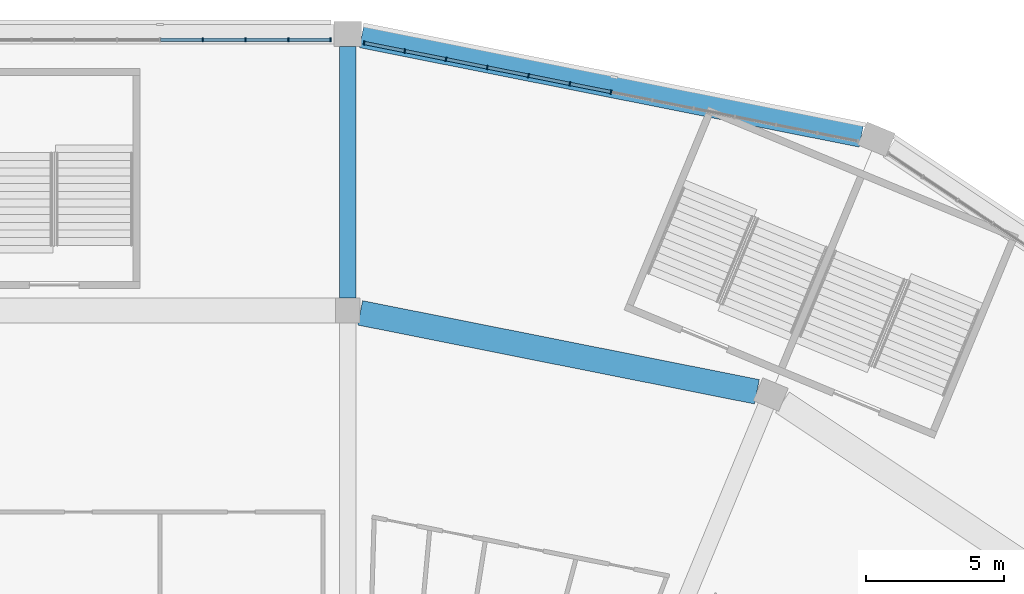
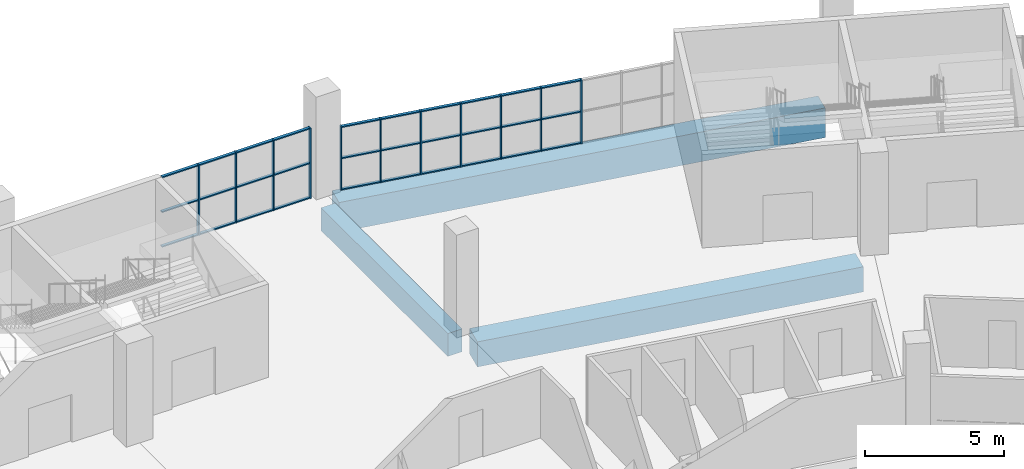
# One storey, part 46 of 199: 41 members, 3 beams, 2 elements without a shape of their own.
"""IFC4 building model written with IfcOpenShell, lengths in metres."""

from ifc_helpers import new_model, si_unit, direction, frame, origin, origin_2d, place, context, subcontext, project, spatial, rectangle, extrude, material, material_profile, profile_set, type_object, element, aggregate, save


model = new_model("IFC4")

# Units and contexts
model_context = context("Model", 3, precision=1e-05, world=origin(), true_north=direction((0.0, 1.0)))
body_context = subcontext(model_context, "Body", "Model", "MODEL_VIEW")
ifc_project = project(units=[si_unit("LENGTHUNIT", "METRE"), si_unit("AREAUNIT", "SQUARE_METRE"), si_unit("VOLUMEUNIT", "CUBIC_METRE"), si_unit("PLANEANGLEUNIT", "RADIAN"), si_unit("MASSUNIT", "GRAM", prefix="KILO")], contexts=[model_context])

# Site, building, storey
site_placement = place(None, origin())
site = spatial("IfcSite", under=ifc_project, at=site_placement, CompositionType="ELEMENT")
building_placement = place(site_placement, origin())
building = spatial("IfcBuilding", under=site, at=building_placement, Name="Ogive Plaza Stadium", CompositionType="ELEMENT")
storey_placement = place(building_placement, frame((0.0, 0.0, 9.0)))
storey = spatial("IfcBuildingStorey", under=building, at=storey_placement, Name="L02", CompositionType="ELEMENT", Elevation=9.0)

# Curtain wall, members
ifc_material_1 = material(Name="Bronze-anodised aluminium with laminated glass", Category="aluminium")
curtain_wall_type = type_object("IfcCurtainWallType", Name="Lancet curtain wall", PredefinedType="NOTDEFINED", material=ifc_material_1)
curtain_wall_1_placement = place(storey_placement, origin())
curtain_wall_1 = element("IfcCurtainWall", 1, at=curtain_wall_1_placement, inside=storey, type_object=curtain_wall_type, Name="CURTAIN WALL B36 L02", PredefinedType="NOTDEFINED")
ifc_material_2 = material(Name="Bronze-anodised aluminium", Category="aluminium")
ifc_material_profile_1 = material_profile(ifc_material_2, rectangle(XDim=0.14990234375, YDim=0.050048828125, at=origin_2d()), Name="AL 150x50")
ifc_profile_set_1 = profile_set([ifc_material_profile_1], Name="Bronze-anodised aluminium")
member_type_1 = type_object("IfcMemberType", Name="Curtain wall mullion 50x150", PredefinedType="MULLION", material=ifc_profile_set_1)
member_1_placement = place(storey_placement, frame((28.75, 102.300048828125, 0.0), z_axis=(0.0, 0.0, 1.0), x_axis=(0.0, 1.0, 0.0)))
member_1 = element("IfcMember", 2, at=member_1_placement, type_object=member_type_1, Name="CW-B36-L02 mullion 6", PredefinedType="MULLION", context=body_context, shape_type="SweptSolid", body=[
    extrude(rectangle(XDim=0.14990234375, YDim=0.050048828125, at=origin_2d()), origin(), (0.0, 0.0, 1.0), 3.090087890625),
])
member_2_placement = place(storey_placement, frame((30.300048828125, 102.300048828125, 0.0), z_axis=(0.0, 0.0, 1.0), x_axis=(0.0, 1.0, 0.0)))
member_2 = element("IfcMember", 3, at=member_2_placement, type_object=member_type_1, Name="CW-B36-L02 mullion 7", PredefinedType="MULLION", context=body_context, shape_type="SweptSolid", body=[
    extrude(rectangle(XDim=0.14990234375, YDim=0.050048828125, at=origin_2d()), origin(), (0.0, 0.0, 1.0), 3.090087890625),
])
member_3_placement = place(storey_placement, frame((31.85009765625, 102.300048828125, 0.0), z_axis=(0.0, 0.0, 1.0), x_axis=(0.0, 1.0, 0.0)))
member_3 = element("IfcMember", 4, at=member_3_placement, type_object=member_type_1, Name="CW-B36-L02 mullion 8", PredefinedType="MULLION", context=body_context, shape_type="SweptSolid", body=[
    extrude(rectangle(XDim=0.14990234375, YDim=0.050048828125, at=origin_2d()), origin(), (0.0, 0.0, 1.0), 3.090087890625),
])
member_4_placement = place(storey_placement, frame((33.375, 102.300048828125, 0.0), z_axis=(0.0, 0.0, 1.0), x_axis=(0.0, 1.0, 0.0)))
member_4 = element("IfcMember", 5, at=member_4_placement, type_object=member_type_1, Name="CW-B36-L02 mullion 9", PredefinedType="MULLION", context=body_context, shape_type="SweptSolid", body=[
    extrude(rectangle(XDim=0.14990234375, YDim=0.050048828125, at=origin_2d()), origin(), (0.0, 0.0, 1.0), 3.090087890625),
])

curtain_wall_2_placement = place(storey_placement, origin())
curtain_wall_2 = element("IfcCurtainWall", 6, at=curtain_wall_2_placement, inside=storey, type_object=curtain_wall_type, Name="CURTAIN WALL B37 L02", PredefinedType="NOTDEFINED")
member_5_placement = place(storey_placement, frame((34.593994140625, 102.177978515625, 0.0), z_axis=(0.0, 0.0, 1.0), x_axis=(0.195090322033, 0.9807852804, 0.0)))
member_5 = element("IfcMember", 7, at=member_5_placement, type_object=member_type_1, Name="CW-B37-L02 mullion 1", PredefinedType="MULLION", context=body_context, shape_type="SweptSolid", body=[
    extrude(rectangle(XDim=0.14990234375, YDim=0.050048828125, at=origin_2d()), origin(), (0.0, 0.0, 1.0), 2.7900390625),
])
member_6_placement = place(storey_placement, frame((36.0625, 101.8857421875, 0.0), z_axis=(0.0, 0.0, 1.0), x_axis=(0.195090322033, 0.9807852804, 0.0)))
member_6 = element("IfcMember", 8, at=member_6_placement, type_object=member_type_1, Name="CW-B37-L02 mullion 2", PredefinedType="MULLION", context=body_context, shape_type="SweptSolid", body=[
    extrude(rectangle(XDim=0.14990234375, YDim=0.050048828125, at=origin_2d()), origin(), (0.0, 0.0, 1.0), 2.7900390625),
])
member_7_placement = place(storey_placement, frame((37.5556640625, 101.5888671875, 0.0), z_axis=(0.0, 0.0, 1.0), x_axis=(0.195090322033, 0.9807852804, 0.0)))
member_7 = element("IfcMember", 9, at=member_7_placement, type_object=member_type_1, Name="CW-B37-L02 mullion 3", PredefinedType="MULLION", context=body_context, shape_type="SweptSolid", body=[
    extrude(rectangle(XDim=0.14990234375, YDim=0.050048828125, at=origin_2d()), origin(), (0.0, 0.0, 1.0), 2.7900390625),
])
member_8_placement = place(storey_placement, frame((39.048828125, 101.291748046875, 0.0), z_axis=(0.0, 0.0, 1.0), x_axis=(0.195090322033, 0.9807852804, 0.0)))
member_8 = element("IfcMember", 10, at=member_8_placement, type_object=member_type_1, Name="CW-B37-L02 mullion 4", PredefinedType="MULLION", context=body_context, shape_type="SweptSolid", body=[
    extrude(rectangle(XDim=0.14990234375, YDim=0.050048828125, at=origin_2d()), origin(), (0.0, 0.0, 1.0), 2.7900390625),
])
member_9_placement = place(storey_placement, frame((40.5419921875, 100.994873046875, 0.0), z_axis=(0.0, 0.0, 1.0), x_axis=(0.195090322033, 0.9807852804, 0.0)))
member_9 = element("IfcMember", 11, at=member_9_placement, type_object=member_type_1, Name="CW-B37-L02 mullion 5", PredefinedType="MULLION", context=body_context, shape_type="SweptSolid", body=[
    extrude(rectangle(XDim=0.14990234375, YDim=0.050048828125, at=origin_2d()), origin(), (0.0, 0.0, 1.0), 2.7900390625),
])
member_10_placement = place(storey_placement, frame((42.034912109375, 100.69775390625, 0.0), z_axis=(0.0, 0.0, 1.0), x_axis=(0.195090322033, 0.9807852804, 0.0)))
member_10 = element("IfcMember", 12, at=member_10_placement, type_object=member_type_1, Name="CW-B37-L02 mullion 6", PredefinedType="MULLION", context=body_context, shape_type="SweptSolid", body=[
    extrude(rectangle(XDim=0.14990234375, YDim=0.050048828125, at=origin_2d()), origin(), (0.0, 0.0, 1.0), 2.7900390625),
])
member_11_placement = place(storey_placement, frame((43.528076171875, 100.40087890625, 0.0), z_axis=(0.0, 0.0, 1.0), x_axis=(0.195090322033, 0.9807852804, 0.0)))
member_11 = element("IfcMember", 13, at=member_11_placement, type_object=member_type_1, Name="CW-B37-L02 mullion 7", PredefinedType="MULLION", context=body_context, shape_type="SweptSolid", body=[
    extrude(rectangle(XDim=0.14990234375, YDim=0.050048828125, at=origin_2d()), origin(), (0.0, 0.0, 1.0), 2.7900390625),
])

# Member
ifc_material_3 = material(Name="Bronze-anodised aluminium", Category="aluminium")
ifc_material_profile_2 = material_profile(ifc_material_3, rectangle(XDim=0.1201171875, YDim=0.050048828125, at=origin_2d()), Name="AL 120x50")
ifc_profile_set_2 = profile_set([ifc_material_profile_2], Name="Bronze-anodised aluminium")
member_type_2 = type_object("IfcMemberType", Name="Curtain wall transom 50x120", PredefinedType="USERDEFINED", material=ifc_profile_set_2)
member_12_placement = place(storey_placement, frame((27.22509765625, 102.300048828125, 0.02490234375), z_axis=(1.0, 0.0, 0.0), x_axis=(0.0, 1.0, 0.0)))
member_12 = element("IfcMember", 14, at=member_12_placement, type_object=member_type_2, Name="CW-B36-L02 transom 5.1", ObjectType="TRANSOM", PredefinedType="USERDEFINED", context=body_context, shape_type="SweptSolid", body=[
    extrude(rectangle(XDim=0.1201171875, YDim=0.050048828125, at=origin_2d()), origin(), (0.0, 0.0, 1.0), 1.5),
])

member_13_placement = place(storey_placement, frame((27.22509765625, 102.300048828125, 1.544921875), z_axis=(1.0, 0.0, 0.0), x_axis=(0.0, 1.0, 0.0)))
member_13 = element("IfcMember", 15, at=member_13_placement, type_object=member_type_2, Name="CW-B36-L02 transom 5.2", ObjectType="TRANSOM", PredefinedType="USERDEFINED", context=body_context, shape_type="SweptSolid", body=[
    extrude(rectangle(XDim=0.1201171875, YDim=0.050048828125, at=origin_2d()), origin(), (0.0, 0.0, 1.0), 1.5),
])

member_14_placement = place(storey_placement, frame((27.22509765625, 102.300048828125, 3.06494140625), z_axis=(1.0, 0.0, 0.0), x_axis=(0.0, 1.0, 0.0)))
member_14 = element("IfcMember", 16, at=member_14_placement, type_object=member_type_2, Name="CW-B36-L02 transom 5.3", ObjectType="TRANSOM", PredefinedType="USERDEFINED", context=body_context, shape_type="SweptSolid", body=[
    extrude(rectangle(XDim=0.1201171875, YDim=0.050048828125, at=origin_2d()), origin(), (0.0, 0.0, 1.0), 1.5),
])

member_15_placement = place(storey_placement, frame((28.77490234375, 102.300048828125, 0.02490234375), z_axis=(1.0, 0.0, 0.0), x_axis=(0.0, 1.0, 0.0)))
member_15 = element("IfcMember", 17, at=member_15_placement, type_object=member_type_2, Name="CW-B36-L02 transom 6.1", ObjectType="TRANSOM", PredefinedType="USERDEFINED", context=body_context, shape_type="SweptSolid", body=[
    extrude(rectangle(XDim=0.1201171875, YDim=0.050048828125, at=origin_2d()), origin(), (0.0, 0.0, 1.0), 1.5),
])

member_16_placement = place(storey_placement, frame((28.77490234375, 102.300048828125, 1.544921875), z_axis=(1.0, 0.0, 0.0), x_axis=(0.0, 1.0, 0.0)))
member_16 = element("IfcMember", 18, at=member_16_placement, type_object=member_type_2, Name="CW-B36-L02 transom 6.2", ObjectType="TRANSOM", PredefinedType="USERDEFINED", context=body_context, shape_type="SweptSolid", body=[
    extrude(rectangle(XDim=0.1201171875, YDim=0.050048828125, at=origin_2d()), origin(), (0.0, 0.0, 1.0), 1.5),
])

member_17_placement = place(storey_placement, frame((28.77490234375, 102.300048828125, 3.06494140625), z_axis=(1.0, 0.0, 0.0), x_axis=(0.0, 1.0, 0.0)))
member_17 = element("IfcMember", 19, at=member_17_placement, type_object=member_type_2, Name="CW-B36-L02 transom 6.3", ObjectType="TRANSOM", PredefinedType="USERDEFINED", context=body_context, shape_type="SweptSolid", body=[
    extrude(rectangle(XDim=0.1201171875, YDim=0.050048828125, at=origin_2d()), origin(), (0.0, 0.0, 1.0), 1.5),
])

member_18_placement = place(storey_placement, frame((30.324951171875, 102.300048828125, 0.02490234375), z_axis=(1.0, 0.0, 0.0), x_axis=(0.0, 1.0, 0.0)))
member_18 = element("IfcMember", 20, at=member_18_placement, type_object=member_type_2, Name="CW-B36-L02 transom 7.1", ObjectType="TRANSOM", PredefinedType="USERDEFINED", context=body_context, shape_type="SweptSolid", body=[
    extrude(rectangle(XDim=0.1201171875, YDim=0.050048828125, at=origin_2d()), origin(), (0.0, 0.0, 1.0), 1.5),
])

member_19_placement = place(storey_placement, frame((30.324951171875, 102.300048828125, 1.544921875), z_axis=(1.0, 0.0, 0.0), x_axis=(0.0, 1.0, 0.0)))
member_19 = element("IfcMember", 21, at=member_19_placement, type_object=member_type_2, Name="CW-B36-L02 transom 7.2", ObjectType="TRANSOM", PredefinedType="USERDEFINED", context=body_context, shape_type="SweptSolid", body=[
    extrude(rectangle(XDim=0.1201171875, YDim=0.050048828125, at=origin_2d()), origin(), (0.0, 0.0, 1.0), 1.5),
])

member_20_placement = place(storey_placement, frame((30.324951171875, 102.300048828125, 3.06494140625), z_axis=(1.0, 0.0, 0.0), x_axis=(0.0, 1.0, 0.0)))
member_20 = element("IfcMember", 22, at=member_20_placement, type_object=member_type_2, Name="CW-B36-L02 transom 7.3", ObjectType="TRANSOM", PredefinedType="USERDEFINED", context=body_context, shape_type="SweptSolid", body=[
    extrude(rectangle(XDim=0.1201171875, YDim=0.050048828125, at=origin_2d()), origin(), (0.0, 0.0, 1.0), 1.5),
])

member_21_placement = place(storey_placement, frame((31.875, 102.300048828125, 0.02490234375), z_axis=(1.0, 0.0, 0.0), x_axis=(0.0, 1.0, 0.0)))
member_21 = element("IfcMember", 23, at=member_21_placement, type_object=member_type_2, Name="CW-B36-L02 transom 8.1", ObjectType="TRANSOM", PredefinedType="USERDEFINED", context=body_context, shape_type="SweptSolid", body=[
    extrude(rectangle(XDim=0.1201171875, YDim=0.050048828125, at=origin_2d()), origin(), (0.0, 0.0, 1.0), 1.47509765625),
])

member_22_placement = place(storey_placement, frame((31.875, 102.300048828125, 1.544921875), z_axis=(1.0, 0.0, 0.0), x_axis=(0.0, 1.0, 0.0)))
member_22 = element("IfcMember", 24, at=member_22_placement, type_object=member_type_2, Name="CW-B36-L02 transom 8.2", ObjectType="TRANSOM", PredefinedType="USERDEFINED", context=body_context, shape_type="SweptSolid", body=[
    extrude(rectangle(XDim=0.1201171875, YDim=0.050048828125, at=origin_2d()), origin(), (0.0, 0.0, 1.0), 1.47509765625),
])

member_23_placement = place(storey_placement, frame((31.875, 102.300048828125, 3.06494140625), z_axis=(1.0, 0.0, 0.0), x_axis=(0.0, 1.0, 0.0)))
member_23 = element("IfcMember", 25, at=member_23_placement, type_object=member_type_2, Name="CW-B36-L02 transom 8.3", ObjectType="TRANSOM", PredefinedType="USERDEFINED", context=body_context, shape_type="SweptSolid", body=[
    extrude(rectangle(XDim=0.1201171875, YDim=0.050048828125, at=origin_2d()), origin(), (0.0, 0.0, 1.0), 1.47509765625),
])

aggregate(curtain_wall_1, [member_1, member_2, member_3, member_4, member_12, member_13, member_14, member_15, member_16, member_17, member_18, member_19, member_20, member_21, member_22, member_23])

member_24_placement = place(storey_placement, frame((34.61865234375, 102.173095703125, 0.02490234375), z_axis=(0.980768379534, -0.195175269199, 0.0), x_axis=(0.195175269199, 0.980768379534, 0.0)))
member_24 = element("IfcMember", 26, at=member_24_placement, type_object=member_type_2, Name="CW-B37-L02 transom 1.1", ObjectType="TRANSOM", PredefinedType="USERDEFINED", context=body_context, shape_type="SweptSolid", body=[
    extrude(rectangle(XDim=0.1201171875, YDim=0.050048828125, at=origin_2d()), origin(), (0.0, 0.0, 1.0), 1.447265625),
])

member_25_placement = place(storey_placement, frame((34.61865234375, 102.173095703125, 1.39501953125), z_axis=(0.980768379534, -0.195175269199, 0.0), x_axis=(0.195175269199, 0.980768379534, 0.0)))
member_25 = element("IfcMember", 27, at=member_25_placement, type_object=member_type_2, Name="CW-B37-L02 transom 1.2", ObjectType="TRANSOM", PredefinedType="USERDEFINED", context=body_context, shape_type="SweptSolid", body=[
    extrude(rectangle(XDim=0.1201171875, YDim=0.050048828125, at=origin_2d()), origin(), (0.0, 0.0, 1.0), 1.447265625),
])

member_26_placement = place(storey_placement, frame((34.61865234375, 102.173095703125, 2.764892578125), z_axis=(0.980768379534, -0.195175269199, 0.0), x_axis=(0.195175269199, 0.980768379534, 0.0)))
member_26 = element("IfcMember", 28, at=member_26_placement, type_object=member_type_2, Name="CW-B37-L02 transom 1.3", ObjectType="TRANSOM", PredefinedType="USERDEFINED", context=body_context, shape_type="SweptSolid", body=[
    extrude(rectangle(XDim=0.1201171875, YDim=0.050048828125, at=origin_2d()), origin(), (0.0, 0.0, 1.0), 1.447265625),
])

member_27_placement = place(storey_placement, frame((36.087158203125, 101.880859375, 0.02490234375), z_axis=(0.980803254763, -0.194999937042, 0.0), x_axis=(0.194999937042, 0.980803254763, 0.0)))
member_27 = element("IfcMember", 29, at=member_27_placement, type_object=member_type_2, Name="CW-B37-L02 transom 2.1", ObjectType="TRANSOM", PredefinedType="USERDEFINED", context=body_context, shape_type="SweptSolid", body=[
    extrude(rectangle(XDim=0.1201171875, YDim=0.050048828125, at=origin_2d()), origin(), (0.0, 0.0, 1.0), 1.472412109375),
])

member_28_placement = place(storey_placement, frame((36.087158203125, 101.880859375, 1.39501953125), z_axis=(0.980803254763, -0.194999937042, 0.0), x_axis=(0.194999937042, 0.980803254763, 0.0)))
member_28 = element("IfcMember", 30, at=member_28_placement, type_object=member_type_2, Name="CW-B37-L02 transom 2.2", ObjectType="TRANSOM", PredefinedType="USERDEFINED", context=body_context, shape_type="SweptSolid", body=[
    extrude(rectangle(XDim=0.1201171875, YDim=0.050048828125, at=origin_2d()), origin(), (0.0, 0.0, 1.0), 1.472412109375),
])

member_29_placement = place(storey_placement, frame((36.087158203125, 101.880859375, 2.764892578125), z_axis=(0.980803254763, -0.194999937042, 0.0), x_axis=(0.194999937042, 0.980803254763, 0.0)))
member_29 = element("IfcMember", 31, at=member_29_placement, type_object=member_type_2, Name="CW-B37-L02 transom 2.3", ObjectType="TRANSOM", PredefinedType="USERDEFINED", context=body_context, shape_type="SweptSolid", body=[
    extrude(rectangle(XDim=0.1201171875, YDim=0.050048828125, at=origin_2d()), origin(), (0.0, 0.0, 1.0), 1.472412109375),
])

member_30_placement = place(storey_placement, frame((37.580322265625, 101.583984375, 0.02490234375), z_axis=(0.980765212551, -0.195191182816, 0.0), x_axis=(0.195191182816, 0.980765212551, 0.0)))
member_30 = element("IfcMember", 32, at=member_30_placement, type_object=member_type_2, Name="CW-B37-L02 transom 3.1", ObjectType="TRANSOM", PredefinedType="USERDEFINED", context=body_context, shape_type="SweptSolid", body=[
    extrude(rectangle(XDim=0.1201171875, YDim=0.050048828125, at=origin_2d()), origin(), (0.0, 0.0, 1.0), 1.47216796875),
])

member_31_placement = place(storey_placement, frame((37.580322265625, 101.583984375, 1.39501953125), z_axis=(0.980765212551, -0.195191182816, 0.0), x_axis=(0.195191182816, 0.980765212551, 0.0)))
member_31 = element("IfcMember", 33, at=member_31_placement, type_object=member_type_2, Name="CW-B37-L02 transom 3.2", ObjectType="TRANSOM", PredefinedType="USERDEFINED", context=body_context, shape_type="SweptSolid", body=[
    extrude(rectangle(XDim=0.1201171875, YDim=0.050048828125, at=origin_2d()), origin(), (0.0, 0.0, 1.0), 1.47216796875),
])

member_32_placement = place(storey_placement, frame((37.580322265625, 101.583984375, 2.764892578125), z_axis=(0.980765212551, -0.195191182816, 0.0), x_axis=(0.195191182816, 0.980765212551, 0.0)))
member_32 = element("IfcMember", 34, at=member_32_placement, type_object=member_type_2, Name="CW-B37-L02 transom 3.3", ObjectType="TRANSOM", PredefinedType="USERDEFINED", context=body_context, shape_type="SweptSolid", body=[
    extrude(rectangle(XDim=0.1201171875, YDim=0.050048828125, at=origin_2d()), origin(), (0.0, 0.0, 1.0), 1.47216796875),
])

member_33_placement = place(storey_placement, frame((39.0732421875, 101.286865234375, 0.02490234375), z_axis=(0.980803254763, -0.194999937042, 0.0), x_axis=(0.194999937042, 0.980803254763, 0.0)))
member_33 = element("IfcMember", 35, at=member_33_placement, type_object=member_type_2, Name="CW-B37-L02 transom 4.1", ObjectType="TRANSOM", PredefinedType="USERDEFINED", context=body_context, shape_type="SweptSolid", body=[
    extrude(rectangle(XDim=0.1201171875, YDim=0.050048828125, at=origin_2d()), origin(), (0.0, 0.0, 1.0), 1.472412109375),
])

member_34_placement = place(storey_placement, frame((39.0732421875, 101.286865234375, 1.39501953125), z_axis=(0.980803254763, -0.194999937042, 0.0), x_axis=(0.194999937042, 0.980803254763, 0.0)))
member_34 = element("IfcMember", 36, at=member_34_placement, type_object=member_type_2, Name="CW-B37-L02 transom 4.2", ObjectType="TRANSOM", PredefinedType="USERDEFINED", context=body_context, shape_type="SweptSolid", body=[
    extrude(rectangle(XDim=0.1201171875, YDim=0.050048828125, at=origin_2d()), origin(), (0.0, 0.0, 1.0), 1.472412109375),
])

member_35_placement = place(storey_placement, frame((39.0732421875, 101.286865234375, 2.764892578125), z_axis=(0.980803254763, -0.194999937042, 0.0), x_axis=(0.194999937042, 0.980803254763, 0.0)))
member_35 = element("IfcMember", 37, at=member_35_placement, type_object=member_type_2, Name="CW-B37-L02 transom 4.3", ObjectType="TRANSOM", PredefinedType="USERDEFINED", context=body_context, shape_type="SweptSolid", body=[
    extrude(rectangle(XDim=0.1201171875, YDim=0.050048828125, at=origin_2d()), origin(), (0.0, 0.0, 1.0), 1.472412109375),
])

member_36_placement = place(storey_placement, frame((40.56640625, 100.989990234375, 0.02490234375), z_axis=(0.980771529367, -0.195159440417, 0.0), x_axis=(0.195159440417, 0.980771529367, 0.0)))
member_36 = element("IfcMember", 38, at=member_36_placement, type_object=member_type_2, Name="CW-B37-L02 transom 5.1", ObjectType="TRANSOM", PredefinedType="USERDEFINED", context=body_context, shape_type="SweptSolid", body=[
    extrude(rectangle(XDim=0.1201171875, YDim=0.050048828125, at=origin_2d()), origin(), (0.0, 0.0, 1.0), 1.472412109375),
])

member_37_placement = place(storey_placement, frame((40.56640625, 100.989990234375, 1.39501953125), z_axis=(0.980771529367, -0.195159440417, 0.0), x_axis=(0.195159440417, 0.980771529367, 0.0)))
member_37 = element("IfcMember", 39, at=member_37_placement, type_object=member_type_2, Name="CW-B37-L02 transom 5.2", ObjectType="TRANSOM", PredefinedType="USERDEFINED", context=body_context, shape_type="SweptSolid", body=[
    extrude(rectangle(XDim=0.1201171875, YDim=0.050048828125, at=origin_2d()), origin(), (0.0, 0.0, 1.0), 1.472412109375),
])

member_38_placement = place(storey_placement, frame((40.56640625, 100.989990234375, 2.764892578125), z_axis=(0.980771529367, -0.195159440417, 0.0), x_axis=(0.195159440417, 0.980771529367, 0.0)))
member_38 = element("IfcMember", 40, at=member_38_placement, type_object=member_type_2, Name="CW-B37-L02 transom 5.3", ObjectType="TRANSOM", PredefinedType="USERDEFINED", context=body_context, shape_type="SweptSolid", body=[
    extrude(rectangle(XDim=0.1201171875, YDim=0.050048828125, at=origin_2d()), origin(), (0.0, 0.0, 1.0), 1.472412109375),
])

member_39_placement = place(storey_placement, frame((42.0595703125, 100.69287109375, 0.02490234375), z_axis=(0.980803254763, -0.194999937042, 0.0), x_axis=(0.194999937042, 0.980803254763, 0.0)))
member_39 = element("IfcMember", 41, at=member_39_placement, type_object=member_type_2, Name="CW-B37-L02 transom 6.1", ObjectType="TRANSOM", PredefinedType="USERDEFINED", context=body_context, shape_type="SweptSolid", body=[
    extrude(rectangle(XDim=0.1201171875, YDim=0.050048828125, at=origin_2d()), origin(), (0.0, 0.0, 1.0), 1.472412109375),
])

member_40_placement = place(storey_placement, frame((42.0595703125, 100.69287109375, 1.39501953125), z_axis=(0.980803254763, -0.194999937042, 0.0), x_axis=(0.194999937042, 0.980803254763, 0.0)))
member_40 = element("IfcMember", 42, at=member_40_placement, type_object=member_type_2, Name="CW-B37-L02 transom 6.2", ObjectType="TRANSOM", PredefinedType="USERDEFINED", context=body_context, shape_type="SweptSolid", body=[
    extrude(rectangle(XDim=0.1201171875, YDim=0.050048828125, at=origin_2d()), origin(), (0.0, 0.0, 1.0), 1.472412109375),
])

member_41_placement = place(storey_placement, frame((42.0595703125, 100.69287109375, 2.764892578125), z_axis=(0.980803254763, -0.194999937042, 0.0), x_axis=(0.194999937042, 0.980803254763, 0.0)))
member_41 = element("IfcMember", 43, at=member_41_placement, type_object=member_type_2, Name="CW-B37-L02 transom 6.3", ObjectType="TRANSOM", PredefinedType="USERDEFINED", context=body_context, shape_type="SweptSolid", body=[
    extrude(rectangle(XDim=0.1201171875, YDim=0.050048828125, at=origin_2d()), origin(), (0.0, 0.0, 1.0), 1.472412109375),
])

aggregate(curtain_wall_2, [member_5, member_6, member_7, member_8, member_9, member_10, member_11, member_24, member_25, member_26, member_27, member_28, member_29, member_30, member_31, member_32, member_33, member_34, member_35, member_36, member_37, member_38, member_39, member_40, member_41])

# Beams
ifc_material_4 = material(Name="Concrete C40/50", Category="concrete")
ifc_material_profile_3 = material_profile(ifc_material_4, rectangle(XDim=0.60009765625, YDim=1.0, at=origin_2d()), Name="RC 600x1000")
ifc_profile_set_3 = profile_set([ifc_material_profile_3], Name="Concrete C40/50")
beam_type_1 = type_object("IfcBeamType", Name="RC radial beam 600x1000", PredefinedType="BEAM", material=ifc_profile_set_3)
beam_1_placement = place(storey_placement, frame((34.0, 92.949951171875, -0.909912109375), z_axis=(0.0, 1.0, 0.0), x_axis=(-1.0, 0.0, 0.0)))
element("IfcBeam", 44, at=beam_1_placement, inside=storey, type_object=beam_type_1, Name="Radial beam L02 R37 F4F5", PredefinedType="BEAM", context=body_context, shape_type="SweptSolid", body=[
    extrude(rectangle(XDim=0.60009765625, YDim=1.0, at=origin_2d()), origin(), (0.0, 0.0, 1.0), 9.10009765625),
])
ifc_material_5 = material(Name="Concrete C40/50", Category="concrete")
ifc_material_profile_4 = material_profile(ifc_material_5, rectangle(XDim=0.89990234375, YDim=1.10009765625, at=origin_2d()), Name="RC 900x1100")
ifc_profile_set_4 = profile_set([ifc_material_profile_4], Name="Concrete C40/50")
beam_type_2 = type_object("IfcBeamType", Name="RC ring beam 900x1100", PredefinedType="BEAM", material=ifc_profile_set_4)
beam_2_placement = place(storey_placement, frame((34.449951171875, 92.410400390625, -0.9599609375), z_axis=(0.980787317906, -0.195080078519, 0.0), x_axis=(0.195080078519, 0.980787317906, 0.0)))
element("IfcBeam", 45, at=beam_2_placement, inside=storey, type_object=beam_type_2, Name="Ring beam F4 L02 B37", PredefinedType="BEAM", context=body_context, shape_type="SweptSolid", body=[
    extrude(rectangle(XDim=0.89990234375, YDim=1.10009765625, at=origin_2d()), origin(), (0.0, 0.0, 1.0), 14.638671875),
])
ifc_material_6 = material(Name="Concrete C40/50", Category="concrete")
ifc_material_profile_5 = material_profile(ifc_material_6, rectangle(XDim=0.800048828125, YDim=1.300048828125, at=origin_2d()), Name="RC 800x1300")
ifc_profile_set_5 = profile_set([ifc_material_profile_5], Name="Concrete C40/50")
beam_type_3 = type_object("IfcBeamType", Name="RC spandrel beam 800x1300", PredefinedType="SPANDREL", material=ifc_profile_set_5)
beam_3_placement = place(storey_placement, frame((34.5, 102.400634765625, -1.06005859375), z_axis=(0.980785371075, -0.195089866178, 0.0), x_axis=(0.195089866178, 0.980785371075, 0.0)))
element("IfcBeam", 46, at=beam_3_placement, inside=storey, type_object=beam_type_3, Name="Ring beam F5 L02 B37", PredefinedType="SPANDREL", context=body_context, shape_type="SweptSolid", body=[
    extrude(rectangle(XDim=0.800048828125, YDim=1.300048828125, at=origin_2d()), origin(), (0.0, 0.0, 1.0), 18.4384765625),
])

save(model, "model.ifc")
